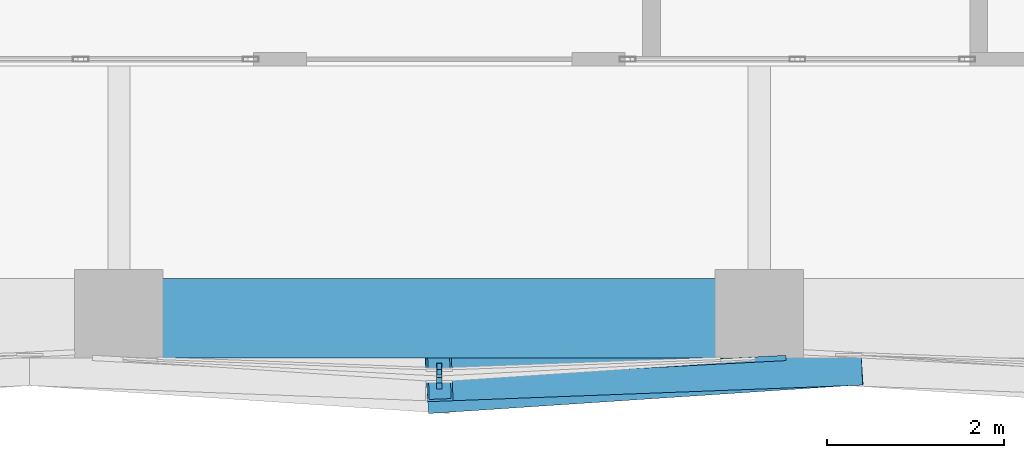
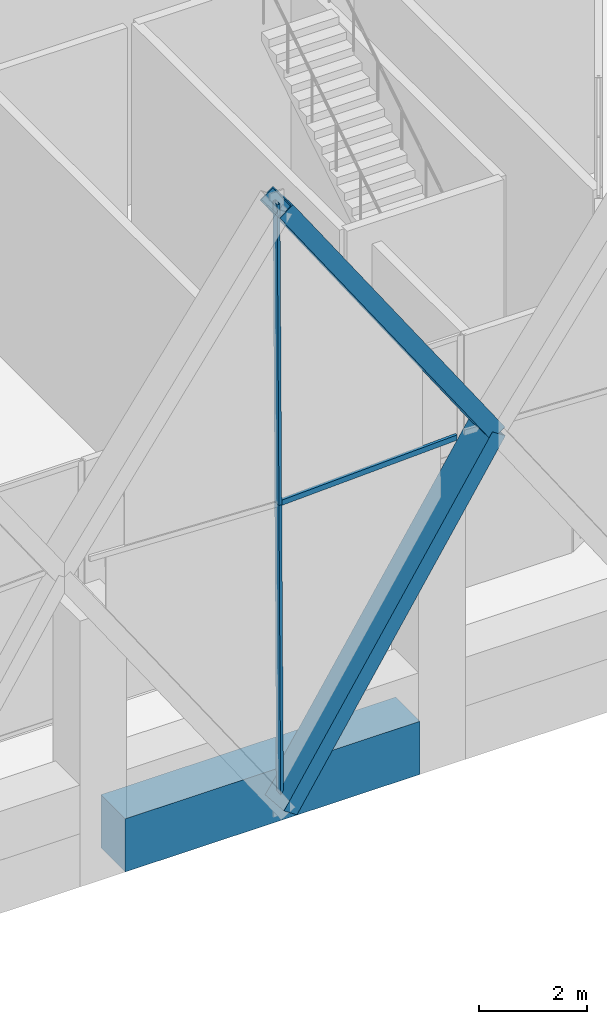
# One storey, part 9 of 43: 5 members, 1 beam, 2 elements without a shape of their own.
"""IFC4 building model written with IfcOpenShell, lengths in metres."""

import ifcopenshell
import ifcopenshell.guid

model = None  # the IFC model being written
_history = None  # IfcOwnerHistory: only IFC2X3 demands one
_inside = {}  # id of a spatial element -> (the spatial element, [elements in it])
_under = {}  # id of a project, library or spatial element -> (it, [spatial elements below it])
_declared = {}  # id of a project -> (the project, [libraries it declares])
_typed = {}  # id of a type object -> (the type object, [elements of that type])
_made_of = {}  # id of a material, layer set ... -> (it, [elements and type objects made of it])


def new_model(schema):
    """Start an empty IFC model of exactly this schema.

    Asked for "IFC4X3", IfcOpenShell would pick the latest addendum, in which some entities
    have other attributes; the version numbers below select the first issue.
    IFC2X3 requires an IfcOwnerHistory on every rooted entity: one is made here for all.
    """
    global model, _history
    if schema == "IFC4X3":
        model = ifcopenshell.file(schema_version=(4, 3, 0, 0))
    else:
        model = ifcopenshell.file(schema=schema)
    _inside.clear()
    _under.clear()
    _declared.clear()
    _typed.clear()
    _made_of.clear()
    _history = None
    if model.schema == "IFC2X3":
        org = make("IfcOrganization", Name="unknown")
        user = make(
            "IfcPersonAndOrganization",
            ThePerson=make("IfcPerson", FamilyName="unknown"),
            TheOrganization=org,
        )
        app = make(
            "IfcApplication",
            ApplicationDeveloper=org,
            Version="unknown",
            ApplicationFullName="unknown",
            ApplicationIdentifier="unknown",
        )
        _history = make(
            "IfcOwnerHistory",
            OwningUser=user,
            OwningApplication=app,
            ChangeAction="ADDED",
            CreationDate=0,
        )
    return model


def make(cls, **values):
    """One entity of the class cls with the attributes given. An attribute that is None is left unset."""
    return model.create_entity(
        cls, **{name: value for name, value in values.items() if value is not None}
    )


def rooted(cls, **values):
    """An entity with a GlobalId (a new one), such as an element, a storey or a relation."""
    return make(cls, GlobalId=ifcopenshell.guid.new(), OwnerHistory=_history, **values)


def si_unit(unit_type, name, prefix=None):
    """IfcSIUnit, for example si_unit("LENGTHUNIT", "METRE", prefix="MILLI")."""
    return make("IfcSIUnit", UnitType=unit_type, Prefix=prefix, Name=name)


def assignment(units):
    """IfcUnitAssignment: the units of a project."""
    return None if units is None else make("IfcUnitAssignment", Units=units)


def point(xyz):
    """IfcCartesianPoint."""
    return None if xyz is None else make("IfcCartesianPoint", Coordinates=xyz)


def direction(xyz):
    """IfcDirection."""
    return None if xyz is None else make("IfcDirection", DirectionRatios=xyz)


def frame(location, z_axis=None, x_axis=None):
    """IfcAxis2Placement3D, a coordinate frame: its origin and axes. An axis left out is left unset."""
    return make(
        "IfcAxis2Placement3D",
        Location=point(location),
        Axis=direction(z_axis),
        RefDirection=direction(x_axis),
    )


def frame_2d(location, x_axis=None):
    """IfcAxis2Placement2D, a coordinate frame in the plane: its origin and x axis."""
    return make(
        "IfcAxis2Placement2D", Location=point(location), RefDirection=direction(x_axis)
    )


def origin():
    """The frame at (0, 0, 0) with its axes left unset."""
    return frame((0.0, 0.0, 0.0))


def origin_2d():
    """The frame at (0, 0) in the plane with its x axis left unset."""
    return frame_2d((0.0, 0.0))


def place(relative_to, where):
    """IfcLocalPlacement: puts the frame where relative to a parent placement (None: the world)."""
    return make(
        "IfcLocalPlacement", PlacementRelTo=relative_to, RelativePlacement=where
    )


def context(
    kind, dimensions, precision=None, world=None, true_north=None, identifier=None
):
    """IfcGeometricRepresentationContext, for example the 3D "Model" context."""
    return make(
        "IfcGeometricRepresentationContext",
        ContextIdentifier=identifier,
        ContextType=kind,
        CoordinateSpaceDimension=dimensions,
        Precision=precision,
        WorldCoordinateSystem=world,
        TrueNorth=true_north,
    )


def subcontext(parent, identifier, kind, view, scale=None):
    """IfcGeometricRepresentationSubContext, for example "Body" below "Model"."""
    return make(
        "IfcGeometricRepresentationSubContext",
        ContextIdentifier=identifier,
        ContextType=kind,
        ParentContext=parent,
        TargetScale=scale,
        TargetView=view,
    )


def project(units=None, contexts=None):
    """IfcProject with its units and contexts."""
    return rooted(
        "IfcProject",
        Name="project",
        RepresentationContexts=contexts,
        UnitsInContext=assignment(units),
    )


def spatial(cls, under=None, at=None, **own):
    """A site, building, storey or space (cls), placed at a placement, below another one or the project."""
    s = rooted(cls, ObjectPlacement=at, **own)
    if under is not None:
        _under.setdefault(under.id(), (under, []))[1].append(s)
    return s


def profile(cls, at=None, kind="AREA", **sizes):
    """A parametric profile (cls). Its sizes go by their IFC names, for example OverallWidth=200.0."""
    return make(cls, ProfileType=kind, Position=at, **sizes)


def rectangle(**sizes):
    """IfcRectangleProfileDef."""
    return profile("IfcRectangleProfileDef", **sizes)


def hollow_rectangle(**sizes):
    """IfcRectangleHollowProfileDef."""
    return profile("IfcRectangleHollowProfileDef", **sizes)


def extrude(swept, where, along, depth):
    """IfcExtrudedAreaSolid: the profile swept, set in the frame where, extruded along a direction by depth."""
    return make(
        "IfcExtrudedAreaSolid",
        SweptArea=swept,
        Position=where,
        ExtrudedDirection=direction(along),
        Depth=depth,
    )


def shape(context_of_items, identifier, shape_type, items):
    """IfcShapeRepresentation: the items that make up one representation, for example the "Body"."""
    return make(
        "IfcShapeRepresentation",
        ContextOfItems=context_of_items,
        RepresentationIdentifier=identifier,
        RepresentationType=shape_type,
        Items=items,
    )


def material(Name=None, Category=None):
    """IfcMaterial."""
    return make("IfcMaterial", Name=Name, Category=Category)


def material_profile(
    of_material, cross_section, Name=None, Category=None, Priority=None
):
    """IfcMaterialProfile: a cross section and its material."""
    return make(
        "IfcMaterialProfile",
        Name=Name,
        Material=of_material,
        Profile=cross_section,
        Priority=Priority,
        Category=Category,
    )


def profile_set(profiles, Name=None, composite=None):
    """IfcMaterialProfileSet."""
    return make(
        "IfcMaterialProfileSet",
        Name=Name,
        MaterialProfiles=profiles,
        CompositeProfile=composite,
    )


def made_of(thing, what):
    """Note that an element or type object is made of a material, layer set ...; save() writes the relation."""
    if what is not None:
        _made_of.setdefault(what.id(), (what, []))[1].append(thing)
    return thing


def type_object(cls, material=None, **own):
    """A type object (cls), such as IfcWallType, which elements share."""
    return made_of(rooted(cls, **own), material)


def element(
    cls,
    number,
    at=None,
    inside=None,
    cuts=None,
    type_object=None,
    material=None,
    context=None,
    identifier="Body",
    shape_type=None,
    held_by="IfcProductDefinitionShape",
    body=None,
    shapes=None,
    **own,
):
    """One element of the class cls, such as IfcWall. Its Tag is "e" and its number.

    at: its placement. inside: the storey or other place that contains it. cuts: it is an
    opening in that element (IfcRelVoidsElement). A single representation is given by context,
    identifier, shape_type and body (its items); several are given by shapes. held_by: the class
    of the entity that holds the representations. save() writes the other relations.
    """
    e = rooted(cls, Tag="e%d" % number, ObjectPlacement=at, **own)
    if body is not None:
        shapes = [shape(context, identifier, shape_type, body)]
    if shapes is not None:
        e.Representation = make(held_by, Representations=shapes)
    if inside is not None:
        _inside.setdefault(inside.id(), (inside, []))[1].append(e)
    if cuts is not None:
        rooted(
            "IfcRelVoidsElement", RelatingBuildingElement=cuts, RelatedOpeningElement=e
        )
    if type_object is not None:
        _typed.setdefault(type_object.id(), (type_object, []))[1].append(e)
    return made_of(e, material)


def aggregate(whole, parts):
    """IfcRelAggregates: a whole, such as a stair, and the parts it consists of."""
    return rooted("IfcRelAggregates", RelatingObject=whole, RelatedObjects=parts)


def save(model, path):
    """Write the relations noted so far, then the file.

    IfcRelAggregates (storeys below a building ...), IfcRelContainedInSpatialStructure (elements
    in a storey), IfcRelDefinesByType, IfcRelAssociatesMaterial and IfcRelDeclares: one each for
    every whole, place, type object, material and project.
    """
    for whole, parts in _under.values():
        aggregate(whole, parts)
    for where, things in _inside.values():
        rooted(
            "IfcRelContainedInSpatialStructure",
            RelatedElements=things,
            RelatingStructure=where,
        )
    for kind, things in _typed.values():
        rooted("IfcRelDefinesByType", RelatedObjects=things, RelatingType=kind)
    for what, things in _made_of.values():
        rooted("IfcRelAssociatesMaterial", RelatedObjects=things, RelatingMaterial=what)
    for by, libraries in _declared.values():
        rooted("IfcRelDeclares", RelatingContext=by, RelatedDefinitions=libraries)
    model.write(path)


model = new_model("IFC4")

# Units and contexts
model_context = context("Model", 3, precision=1e-05, world=origin(), true_north=direction((0.0, 1.0)))
body_context = subcontext(model_context, "Body", "Model", "MODEL_VIEW")
ifc_project = project(units=[si_unit("LENGTHUNIT", "METRE"), si_unit("AREAUNIT", "SQUARE_METRE"), si_unit("VOLUMEUNIT", "CUBIC_METRE"), si_unit("PLANEANGLEUNIT", "RADIAN"), si_unit("MASSUNIT", "GRAM", prefix="KILO")], contexts=[model_context])

# Site, building, storey
site_placement = place(None, origin())
site = spatial("IfcSite", under=ifc_project, at=site_placement, CompositionType="ELEMENT")
building_placement = place(site_placement, origin())
building = spatial("IfcBuilding", under=site, at=building_placement, Name="Ostrander Bayou Hotel Tower", CompositionType="ELEMENT")
storey_placement = place(building_placement, frame((0.0, 0.0, 151.0)))
storey = spatial("IfcBuildingStorey", under=building, at=storey_placement, Name="L37", CompositionType="ELEMENT", Elevation=151.0)

# Curtain wall, members
ifc_material_1 = material(Name="Aluminium and clear glass", Category="aluminium")
curtain_wall_type = type_object("IfcCurtainWallType", Name="CW-LAT lattice glazing", PredefinedType="NOTDEFINED", material=ifc_material_1)
curtain_wall_1_placement = place(storey_placement, origin())
curtain_wall_1 = element("IfcCurtainWall", 1, at=curtain_wall_1_placement, inside=storey, type_object=curtain_wall_type, Name="CW-LAT L37 S 1", PredefinedType="NOTDEFINED")
ifc_material_2 = material(Name="Aluminium", Category="aluminium")
ifc_material_profile_1 = material_profile(ifc_material_2, hollow_rectangle(XDim=0.06005859375, YDim=0.159912109375, WallThickness=0.00390625, at=origin_2d()))
ifc_profile_set_1 = profile_set([ifc_material_profile_1], Name="Aluminium")
member_type_1 = type_object("IfcMemberType", Name="CW-LA mullion 60 x 160 mm", PredefinedType="MULLION", material=ifc_profile_set_1)
member_1_placement = place(storey_placement, frame((0.0, -19.070068359375, -0.60009765625), z_axis=(0.0, 0.009728995545, 0.999952672203), x_axis=(-1.0, 0.0, 0.0)))
member_1 = element("IfcMember", 2, at=member_1_placement, type_object=member_type_1, Name="CW-LAT mullion 4", PredefinedType="MULLION", context=body_context, shape_type="SweptSolid", body=[
    extrude(hollow_rectangle(XDim=0.06005859375, YDim=0.159912109375, WallThickness=0.00390625, at=origin_2d()), origin(), (0.0, 0.0, 1.0), 6.750244140625),
])
member_2_placement = place(storey_placement, frame((0.0, -19.00439453125, 6.14990234375), z_axis=(0.0, 0.009656667776, 0.999953373297), x_axis=(-1.0, 0.0, 0.0)))
member_2 = element("IfcMember", 3, at=member_2_placement, type_object=member_type_1, Name="CW-LAT mullion 5", PredefinedType="MULLION", context=body_context, shape_type="SweptSolid", body=[
    extrude(hollow_rectangle(XDim=0.06005859375, YDim=0.159912109375, WallThickness=0.00390625, at=origin_2d()), origin(), (0.0, 0.0, 1.0), 6.750244140625),
])
aggregate(curtain_wall_1, [member_1, member_2])

# Curtain wall, member
curtain_wall_2_placement = place(storey_placement, origin())
curtain_wall_2 = element("IfcCurtainWall", 4, at=curtain_wall_2_placement, inside=storey, type_object=curtain_wall_type, Name="CW-LAT L37 S 2", PredefinedType="NOTDEFINED")
ifc_material_3 = material(Name="Aluminium", Category="aluminium")
ifc_material_profile_2 = material_profile(ifc_material_3, hollow_rectangle(XDim=0.06005859375, YDim=0.1201171875, WallThickness=0.00390625, at=origin_2d()))
ifc_profile_set_2 = profile_set([ifc_material_profile_2], Name="Aluminium")
member_type_2 = type_object("IfcMemberType", Name="CW-LA transom 60 x 120 mm", PredefinedType="USERDEFINED", material=ifc_profile_set_2)
member_3_placement = place(storey_placement, frame((0.0, -19.00439453125, 6.14990234375), z_axis=(0.998643486502, 0.052069058631, 0.0), x_axis=(-0.052069058631, 0.998643486502, 0.0)))
member_3 = element("IfcMember", 5, at=member_3_placement, type_object=member_type_2, Name="CW-LAT transom 7", ObjectType="TRANSOM", PredefinedType="USERDEFINED", context=body_context, shape_type="SweptSolid", body=[
    extrude(hollow_rectangle(XDim=0.06005859375, YDim=0.1201171875, WallThickness=0.00390625, at=origin_2d()), origin(), (0.0, 0.0, 1.0), 3.924560546875),
])
aggregate(curtain_wall_2, [member_3])

# Members
ifc_material_4 = material(Name="Steel ASTM A572 Gr 50", Category="steel")
ifc_material_profile_3 = material_profile(ifc_material_4, hollow_rectangle(XDim=0.699951171875, YDim=0.35009765625, WallThickness=0.02490234375, at=origin_2d()))
ifc_profile_set_3 = profile_set([ifc_material_profile_3], Name="Steel ASTM A572 Gr 50")
member_type_3 = type_object("IfcMemberType", Name="LT1 lattice member box 700 x 350 x 25 mm", PredefinedType="BRACE", material=ifc_profile_set_3)
member_4_placement = place(storey_placement, frame((4.628173828125, -18.762939453125, 6.14990234375), z_axis=(-0.565097551785, -0.037500275368, -0.824171393773), x_axis=(0.066215074127, -0.997805373787, 0.0)))
element("IfcMember", 6, at=member_4_placement, inside=storey, type_object=member_type_3, Name="LT1 L37 S 5", PredefinedType="BRACE", context=body_context, shape_type="SweptSolid", body=[
    extrude(hollow_rectangle(XDim=0.699951171875, YDim=0.35009765625, WallThickness=0.02490234375, at=origin_2d()), origin(), (0.0, 0.0, 1.0), 8.18994140625),
])
member_5_placement = place(storey_placement, frame((4.628173828125, -18.762939453125, 6.14990234375), z_axis=(-0.565364199795, -0.021532571201, 0.824560288861), x_axis=(0.038058601966, -0.999275508965, 0.0)))
element("IfcMember", 7, at=member_5_placement, inside=storey, type_object=member_type_3, Name="LT1 L37 S 6", PredefinedType="BRACE", context=body_context, shape_type="SweptSolid", body=[
    extrude(hollow_rectangle(XDim=0.699951171875, YDim=0.35009765625, WallThickness=0.02490234375, at=origin_2d()), origin(), (0.0, 0.0, 1.0), 8.186279296875),
])

# Beam
ifc_material_5 = material(Name="Concrete f'c 60 MPa", Category="concrete")
ifc_material_profile_4 = material_profile(ifc_material_5, rectangle(XDim=0.89990234375, YDim=1.199951171875, at=origin_2d()))
ifc_profile_set_4 = profile_set([ifc_material_profile_4], Name="Concrete f'c 60 MPa")
beam_type = type_object("IfcBeamType", Name="SP3 spandrel beam 900 x 1200 mm f'c 60 MPa", PredefinedType="SPANDREL", material=ifc_profile_set_4)
beam_placement = place(storey_placement, frame((-3.148193359375, -18.35009765625, -0.60009765625), z_axis=(1.0, 0.0, 0.0), x_axis=(0.0, 1.0, 0.0)))
element("IfcBeam", 8, at=beam_placement, inside=storey, type_object=beam_type, Name="SP3 L37 S-2", PredefinedType="SPANDREL", context=body_context, shape_type="SweptSolid", body=[
    extrude(rectangle(XDim=0.89990234375, YDim=1.199951171875, at=origin_2d()), origin(), (0.0, 0.0, 1.0), 6.29638671875),
])

save(model, "model.ifc")
